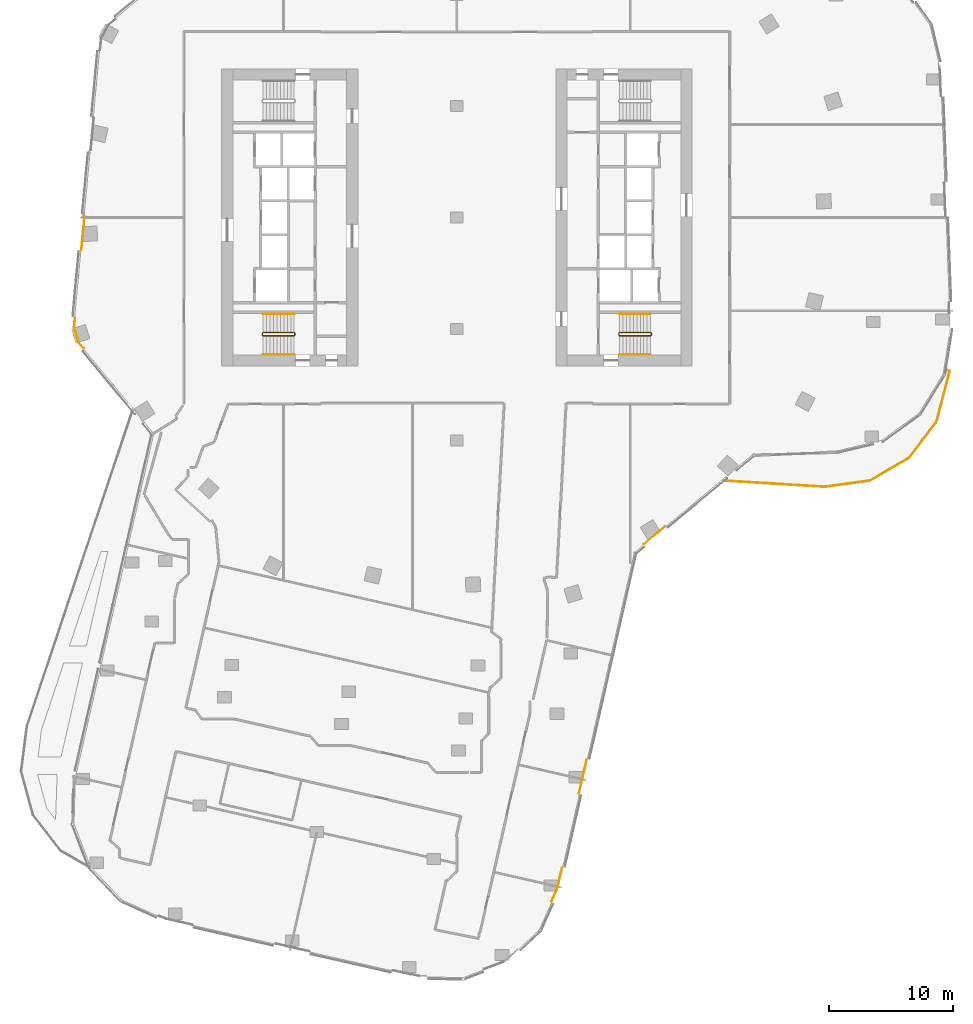
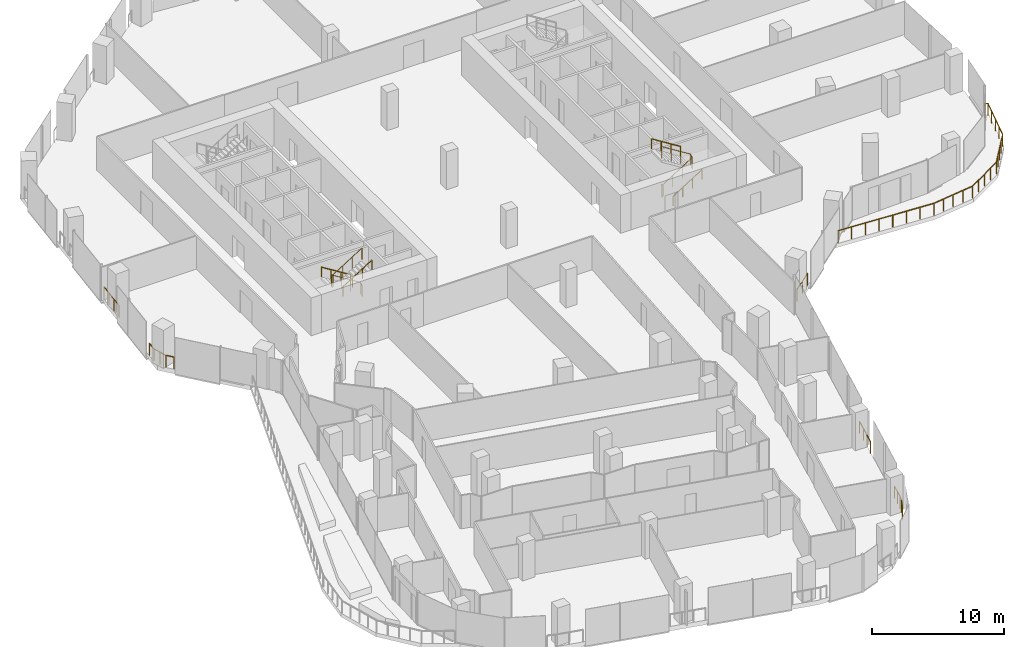
# One storey, part 25 of 28: 12 railings.
"""IFC4 building model written with IfcOpenShell, lengths in metres."""

from ifc_helpers import new_model, si_unit, direction, frame, origin, origin_2d, place, context, subcontext, project, spatial, circle, extrude, material, type_object, element, save


model = new_model("IFC4")

# Units and contexts
model_context = context("Model", 3, precision=1e-05, world=origin(), true_north=direction((0.0, 1.0)))
body_context = subcontext(model_context, "Body", "Model", "MODEL_VIEW")
ifc_project = project(units=[si_unit("LENGTHUNIT", "METRE"), si_unit("AREAUNIT", "SQUARE_METRE"), si_unit("VOLUMEUNIT", "CUBIC_METRE"), si_unit("PLANEANGLEUNIT", "RADIAN"), si_unit("MASSUNIT", "GRAM", prefix="KILO")], contexts=[model_context])

# Site, building, storey
site_placement = place(None, origin())
site = spatial("IfcSite", under=ifc_project, at=site_placement, CompositionType="ELEMENT")
building_placement = place(site_placement, origin())
building = spatial("IfcBuilding", under=site, at=building_placement, Name="Orlundy Tower", CompositionType="ELEMENT")
storey_placement = place(building_placement, frame((0.0, 0.0, 167.10009765625)))
storey = spatial("IfcBuildingStorey", under=building, at=storey_placement, Name="L43", CompositionType="ELEMENT", Elevation=167.10009765625)

# Railings
ifc_material_1 = material(Name="Steel balustrade", Category="steel")
railing_type_1 = type_object("IfcRailingType", Name="Stair Guard 1100", PredefinedType="GUARDRAIL", material=ifc_material_1)
railing_1_placement = place(storey_placement, frame((-13.090087890625, -9.35009765625, 0.0)))
element("IfcRailing", 1, at=railing_1_placement, inside=storey, type_object=railing_type_1, Name="L43 ST-W2 stair guard 1", PredefinedType="GUARDRAIL", context=body_context, shape_type="SweptSolid", body=[
    extrude(circle(Radius=0.02392578125, at=origin_2d()), frame((0.0, 0.0, 1.076171875), z_axis=(0.0, -1.0, 0.0), x_axis=(1.0, 0.0, 0.0)), (0.0, 0.0, 1.0), 0.14990234375),
    extrude(circle(Radius=0.02392578125, at=origin_2d()), frame((0.0, -0.14990234375, 1.076171875), z_axis=(-0.184313129624, 0.739963005698, 0.646902945152), x_axis=(-0.970351222016, -0.241699205484, 0.0)), (0.0, 0.0, 1.0), 0.270263671875),
    extrude(circle(Radius=0.02392578125, at=origin_2d()), frame((-0.0498046875, 0.050048828125, 1.2509765625), z_axis=(-0.847970611238, 0.0, 0.530043245855), x_axis=(0.0, -1.0, 0.0)), (0.0, 0.0, 1.0), 2.971923828125),
    extrude(circle(Radius=0.02392578125, at=origin_2d()), frame((-2.56982421875, 0.050048828125, 2.826171875), z_axis=(-0.707106781187, -0.707106781187, 0.0), x_axis=(0.707106781187, -0.707106781187, 0.0)), (0.0, 0.0, 1.0), 0.07080078125),
    extrude(circle(Radius=0.02392578125, at=origin_2d()), frame((-2.619873046875, 0.0, 2.826171875), z_axis=(0.0, -1.0, 0.0), x_axis=(1.0, 0.0, 0.0)), (0.0, 0.0, 1.0), 0.14990234375),
    extrude(circle(Radius=0.02392578125, at=origin_2d()), frame((-2.619873046875, -0.14990234375, 2.826171875), z_axis=(0.265383341853, -0.265383341853, 0.926899867156), x_axis=(0.707106781187, 0.707106781187, 0.0)), (0.0, 0.0, 1.0), 0.1884765625),
    extrude(circle(Radius=0.02392578125, at=origin_2d()), frame((-2.56982421875, -0.199951171875, 3.0009765625), z_axis=(0.847970611238, 0.0, 0.530043245855), x_axis=(0.0, 1.0, 0.0)), (0.0, 0.0, 1.0), 2.971923828125),
    extrude(circle(Radius=0.02099609375, at=origin_2d()), origin(), (0.0, 0.0, 1.0), 1.052001953125),
    extrude(circle(Radius=0.02099609375, at=origin_2d()), frame((0.0, -0.14990234375, 0.0)), (0.0, 0.0, 1.0), 1.052001953125),
    extrude(circle(Radius=0.02099609375, at=origin_2d()), frame((-0.0498046875, 0.050048828125, 0.1748046875)), (0.0, 0.0, 1.0), 1.052001953125),
    extrude(circle(Radius=0.02099609375, at=origin_2d()), frame((-0.889892578125, 0.050048828125, 0.699951171875)), (0.0, 0.0, 1.0), 1.052001953125),
    extrude(circle(Radius=0.02099609375, at=origin_2d()), frame((-1.729736328125, 0.050048828125, 1.224853515625)), (0.0, 0.0, 1.0), 1.052001953125),
    extrude(circle(Radius=0.02099609375, at=origin_2d()), frame((-2.56982421875, 0.050048828125, 1.75)), (0.0, 0.0, 1.0), 1.052001953125),
    extrude(circle(Radius=0.02099609375, at=origin_2d()), frame((-2.619873046875, 0.0, 1.75)), (0.0, 0.0, 1.0), 1.052001953125),
    extrude(circle(Radius=0.02099609375, at=origin_2d()), frame((-2.619873046875, -0.14990234375, 1.75)), (0.0, 0.0, 1.0), 1.052001953125),
    extrude(circle(Radius=0.02099609375, at=origin_2d()), frame((-2.56982421875, -0.199951171875, 1.9248046875)), (0.0, 0.0, 1.0), 1.052001953125),
    extrude(circle(Radius=0.02099609375, at=origin_2d()), frame((-1.729736328125, -0.199951171875, 2.449951171875)), (0.0, 0.0, 1.0), 1.052001953125),
    extrude(circle(Radius=0.02099609375, at=origin_2d()), frame((-0.889892578125, -0.199951171875, 2.974853515625)), (0.0, 0.0, 1.0), 1.052001953125),
    extrude(circle(Radius=0.02099609375, at=origin_2d()), frame((-0.0498046875, -0.199951171875, 3.5)), (0.0, 0.0, 1.0), 1.052001953125),
])
railing_2_placement = place(storey_placement, frame((13.090087890625, -9.5, 0.0)))
element("IfcRailing", 2, at=railing_2_placement, inside=storey, type_object=railing_type_1, Name="L43 ST-E1 stair guard 1", PredefinedType="GUARDRAIL", context=body_context, shape_type="SweptSolid", body=[
    extrude(circle(Radius=0.02392578125, at=origin_2d()), frame((0.0, 0.0, 1.076171875), z_axis=(0.0, 1.0, 0.0), x_axis=(-1.0, 0.0, 0.0)), (0.0, 0.0, 1.0), 0.14990234375),
    extrude(circle(Radius=0.02392578125, at=origin_2d()), frame((0.0, 0.14990234375, 1.076171875), z_axis=(0.184313129624, -0.739963005698, 0.646902945152), x_axis=(0.970351222016, 0.241699205484, 0.0)), (0.0, 0.0, 1.0), 0.270263671875),
    extrude(circle(Radius=0.02392578125, at=origin_2d()), frame((0.0498046875, -0.050048828125, 1.2509765625), z_axis=(0.847970611238, 0.0, 0.530043245855), x_axis=(0.0, 1.0, 0.0)), (0.0, 0.0, 1.0), 2.971923828125),
    extrude(circle(Radius=0.02392578125, at=origin_2d()), frame((2.56982421875, -0.050048828125, 2.826171875), z_axis=(0.707106781187, 0.707106781187, 0.0), x_axis=(-0.707106781187, 0.707106781187, 0.0)), (0.0, 0.0, 1.0), 0.07080078125),
    extrude(circle(Radius=0.02392578125, at=origin_2d()), frame((2.619873046875, 0.0, 2.826171875), z_axis=(0.0, 1.0, 0.0), x_axis=(-1.0, 0.0, 0.0)), (0.0, 0.0, 1.0), 0.14990234375),
    extrude(circle(Radius=0.02392578125, at=origin_2d()), frame((2.619873046875, 0.14990234375, 2.826171875), z_axis=(-0.265383341853, 0.265383341853, 0.926899867156), x_axis=(-0.707106781187, -0.707106781187, 0.0)), (0.0, 0.0, 1.0), 0.1884765625),
    extrude(circle(Radius=0.02392578125, at=origin_2d()), frame((2.56982421875, 0.199951171875, 3.0009765625), z_axis=(-0.847970611238, 0.0, 0.530043245855), x_axis=(0.0, -1.0, 0.0)), (0.0, 0.0, 1.0), 2.971923828125),
    extrude(circle(Radius=0.02099609375, at=origin_2d()), origin(), (0.0, 0.0, 1.0), 1.052001953125),
    extrude(circle(Radius=0.02099609375, at=origin_2d()), frame((0.0, 0.14990234375, 0.0)), (0.0, 0.0, 1.0), 1.052001953125),
    extrude(circle(Radius=0.02099609375, at=origin_2d()), frame((0.0498046875, -0.050048828125, 0.1748046875)), (0.0, 0.0, 1.0), 1.052001953125),
    extrude(circle(Radius=0.02099609375, at=origin_2d()), frame((0.889892578125, -0.050048828125, 0.699951171875)), (0.0, 0.0, 1.0), 1.052001953125),
    extrude(circle(Radius=0.02099609375, at=origin_2d()), frame((1.729736328125, -0.050048828125, 1.224853515625)), (0.0, 0.0, 1.0), 1.052001953125),
    extrude(circle(Radius=0.02099609375, at=origin_2d()), frame((2.56982421875, -0.050048828125, 1.75)), (0.0, 0.0, 1.0), 1.052001953125),
    extrude(circle(Radius=0.02099609375, at=origin_2d()), frame((2.619873046875, 0.0, 1.75)), (0.0, 0.0, 1.0), 1.052001953125),
    extrude(circle(Radius=0.02099609375, at=origin_2d()), frame((2.619873046875, 0.14990234375, 1.75)), (0.0, 0.0, 1.0), 1.052001953125),
    extrude(circle(Radius=0.02099609375, at=origin_2d()), frame((2.56982421875, 0.199951171875, 1.9248046875)), (0.0, 0.0, 1.0), 1.052001953125),
    extrude(circle(Radius=0.02099609375, at=origin_2d()), frame((1.729736328125, 0.199951171875, 2.449951171875)), (0.0, 0.0, 1.0), 1.052001953125),
    extrude(circle(Radius=0.02099609375, at=origin_2d()), frame((0.889892578125, 0.199951171875, 2.974853515625)), (0.0, 0.0, 1.0), 1.052001953125),
    extrude(circle(Radius=0.02099609375, at=origin_2d()), frame((0.0498046875, 0.199951171875, 3.5)), (0.0, 0.0, 1.0), 1.052001953125),
])
ifc_material_2 = material(Name="Steel handrail", Category="steel")
railing_type_2 = type_object("IfcRailingType", Name="Stair Handrail 900", PredefinedType="HANDRAIL", material=ifc_material_2)
railing_3_placement = place(storey_placement, frame((-13.139892578125, -7.800048828125, 0.1748046875)))
element("IfcRailing", 3, at=railing_3_placement, inside=storey, type_object=railing_type_2, Name="L43 ST-W2 stair handrail 1", PredefinedType="HANDRAIL", context=body_context, shape_type="SweptSolid", body=[
    extrude(circle(Radius=0.02392578125, at=origin_2d()), frame((0.0, 0.0, 0.8759765625), z_axis=(-0.847970611238, 0.0, 0.530043245855), x_axis=(0.0, -1.0, 0.0)), (0.0, 0.0, 1.0), 2.971923828125),
    extrude(circle(Radius=0.02099609375, at=origin_2d()), origin(), (0.0, 0.0, 1.0), 0.851806640625),
    extrude(circle(Radius=0.02099609375, at=origin_2d()), frame((-0.840087890625, 0.0, 0.525146484375)), (0.0, 0.0, 1.0), 0.851806640625),
    extrude(circle(Radius=0.02099609375, at=origin_2d()), frame((-1.679931640625, 0.0, 1.050048828125)), (0.0, 0.0, 1.0), 0.851806640625),
    extrude(circle(Radius=0.02099609375, at=origin_2d()), frame((-2.52001953125, 0.0, 1.5751953125)), (0.0, 0.0, 1.0), 0.851806640625),
])
for number, where, name in (
    (4, (-15.659912109375, -11.050048828125, 1.9248046875), "L43 ST-W2 stair handrail 2"),
    (5, (13.139892578125, -11.050048828125, 0.1748046875), "L43 ST-E1 stair handrail 1"),
):
    element("IfcRailing", number, at=place(storey_placement, frame(where)), inside=storey, type_object=railing_type_2, Name=name, PredefinedType="HANDRAIL", context=body_context, shape_type="SweptSolid", body=[
        extrude(circle(Radius=0.02392578125, at=origin_2d()), frame((0.0, 0.0, 0.8759765625), z_axis=(0.847970611238, 0.0, 0.530043245855), x_axis=(0.0, 1.0, 0.0)), (0.0, 0.0, 1.0), 2.971923828125),
        extrude(circle(Radius=0.02099609375, at=origin_2d()), origin(), (0.0, 0.0, 1.0), 0.851806640625),
        extrude(circle(Radius=0.02099609375, at=origin_2d()), frame((0.840087890625, 0.0, 0.525146484375)), (0.0, 0.0, 1.0), 0.851806640625),
        extrude(circle(Radius=0.02099609375, at=origin_2d()), frame((1.679931640625, 0.0, 1.050048828125)), (0.0, 0.0, 1.0), 0.851806640625),
        extrude(circle(Radius=0.02099609375, at=origin_2d()), frame((2.52001953125, 0.0, 1.5751953125)), (0.0, 0.0, 1.0), 0.851806640625),
    ])
railing_4_placement = place(storey_placement, frame((15.659912109375, -7.800048828125, 1.9248046875)))
element("IfcRailing", 6, at=railing_4_placement, inside=storey, type_object=railing_type_2, Name="L43 ST-E1 stair handrail 2", PredefinedType="HANDRAIL", context=body_context, shape_type="SweptSolid", body=[
    extrude(circle(Radius=0.02392578125, at=origin_2d()), frame((0.0, 0.0, 0.8759765625), z_axis=(-0.847970611238, 0.0, 0.530043245855), x_axis=(0.0, -1.0, 0.0)), (0.0, 0.0, 1.0), 2.971923828125),
    extrude(circle(Radius=0.02099609375, at=origin_2d()), origin(), (0.0, 0.0, 1.0), 0.851806640625),
    extrude(circle(Radius=0.02099609375, at=origin_2d()), frame((-0.840087890625, 0.0, 0.525146484375)), (0.0, 0.0, 1.0), 0.851806640625),
    extrude(circle(Radius=0.02099609375, at=origin_2d()), frame((-1.679931640625, 0.0, 1.050048828125)), (0.0, 0.0, 1.0), 0.851806640625),
    extrude(circle(Radius=0.02099609375, at=origin_2d()), frame((-2.52001953125, 0.0, 1.5751953125)), (0.0, 0.0, 1.0), 0.851806640625),
])
ifc_material_3 = material(Name="Stainless steel bronze finish", Category="steel")
railing_type_3 = type_object("IfcRailingType", Name="TG1 terrace guard", PredefinedType="GUARDRAIL", material=ifc_material_3)
railing_5_placement = place(storey_placement, frame((8.497314453125, -52.56494140625, 0.0)))
element("IfcRailing", 7, at=railing_5_placement, inside=storey, type_object=railing_type_3, Name="Guard TG-L43-E04", PredefinedType="GUARDRAIL", context=body_context, shape_type="SweptSolid", body=[
    extrude(circle(Radius=0.02490234375, at=origin_2d()), frame((0.0, 0.0, 1.09521484375), z_axis=(-0.222282870261, -0.974982218088, 0.0), x_axis=(0.974982218088, -0.222282870261, 0.0)), (0.0, 0.0, 1.0), 1.4189453125),
    extrude(circle(Radius=0.02490234375, at=origin_2d()), frame((-0.3154296875, -1.383544921875, 1.09521484375), z_axis=(-0.335697180926, -0.941969958501, 0.0), x_axis=(0.941969958501, -0.335697180926, 0.0)), (0.0, 0.0, 1.0), 0.532470703125),
    extrude(circle(Radius=0.02490234375, at=origin_2d()), frame((-0.494140625, -1.885009765625, 1.09521484375), z_axis=(-0.408190195649, -0.912896907748, 0.0), x_axis=(0.912896907748, -0.408190195649, 0.0)), (0.0, 0.0, 1.0), 0.8828125),
    extrude(circle(Radius=0.02001953125, at=origin_2d()), origin(), (0.0, 0.0, 1.0), 1.070068359375),
    extrude(circle(Radius=0.02001953125, at=origin_2d()), frame((-0.15771484375, -0.69189453125, 0.0)), (0.0, 0.0, 1.0), 1.070068359375),
    extrude(circle(Radius=0.02001953125, at=origin_2d()), frame((-0.3154296875, -1.383544921875, 0.0)), (0.0, 0.0, 1.0), 1.070068359375),
    extrude(circle(Radius=0.02001953125, at=origin_2d()), frame((-0.494140625, -1.885009765625, 0.0)), (0.0, 0.0, 1.0), 1.070068359375),
    extrude(circle(Radius=0.02001953125, at=origin_2d()), frame((-0.8544921875, -2.69091796875, 0.0)), (0.0, 0.0, 1.0), 1.070068359375),
])
railing_6_placement = place(storey_placement, frame((10.48486328125, -43.83935546875, 0.0)))
element("IfcRailing", 8, at=railing_6_placement, inside=storey, type_object=railing_type_3, Name="Guard TG-L43-E07", PredefinedType="GUARDRAIL", context=body_context, shape_type="SweptSolid", body=[
    extrude(circle(Radius=0.02490234375, at=origin_2d()), frame((0.0, 0.0, 1.09521484375), z_axis=(-0.222100099372, -0.975023869379, 0.0), x_axis=(0.975023869379, -0.222100099372, 0.0)), (0.0, 0.0, 1.0), 2.753662109375),
    extrude(circle(Radius=0.02001953125, at=origin_2d()), origin(), (0.0, 0.0, 1.0), 1.070068359375),
    extrude(circle(Radius=0.02001953125, at=origin_2d()), frame((-0.203857421875, -0.89501953125, 0.0)), (0.0, 0.0, 1.0), 1.070068359375),
    extrude(circle(Radius=0.02001953125, at=origin_2d()), frame((-0.40771484375, -1.789794921875, 0.0)), (0.0, 0.0, 1.0), 1.070068359375),
    extrude(circle(Radius=0.02001953125, at=origin_2d()), frame((-0.611572265625, -2.684814453125, 0.0)), (0.0, 0.0, 1.0), 1.070068359375),
])
railing_7_placement = place(storey_placement, frame((-30.3330078125, -2.601806640625, 0.0)))
element("IfcRailing", 9, at=railing_7_placement, inside=storey, type_object=railing_type_3, Name="Guard TG-L43-E09", PredefinedType="GUARDRAIL", context=body_context, shape_type="SweptSolid", body=[
    extrude(circle(Radius=0.02490234375, at=origin_2d()), frame((0.0, 0.0, 1.09521484375), z_axis=(0.092918792037, 0.995673690567, 0.0), x_axis=(-0.995673690567, 0.092918792037, 0.0)), (0.0, 0.0, 1.0), 2.724609375),
    extrude(circle(Radius=0.02001953125, at=origin_2d()), origin(), (0.0, 0.0, 1.0), 1.070068359375),
    extrude(circle(Radius=0.02001953125, at=origin_2d()), frame((0.08447265625, 0.904296875, 0.0)), (0.0, 0.0, 1.0), 1.070068359375),
    extrude(circle(Radius=0.02001953125, at=origin_2d()), frame((0.168701171875, 1.80859375, 0.0)), (0.0, 0.0, 1.0), 1.070068359375),
    extrude(circle(Radius=0.02001953125, at=origin_2d()), frame((0.253173828125, 2.712890625, 0.0)), (0.0, 0.0, 1.0), 1.070068359375),
])
railing_8_placement = place(storey_placement, frame((-30.145263671875, -10.58251953125, 0.0)))
element("IfcRailing", 10, at=railing_8_placement, inside=storey, type_object=railing_type_3, Name="Guard TG-L43-E011", PredefinedType="GUARDRAIL", context=body_context, shape_type="SweptSolid", body=[
    extrude(circle(Radius=0.02490234375, at=origin_2d()), frame((0.0, 0.0, 1.09521484375), z_axis=(-0.637978609819, 0.770054084733, 0.0), x_axis=(-0.770054084733, -0.637978609819, 0.0)), (0.0, 0.0, 1.0), 0.632080078125),
    extrude(circle(Radius=0.02490234375, at=origin_2d()), frame((-0.4033203125, 0.48681640625, 1.09521484375), z_axis=(-0.294929977325, 0.955518868718, 0.0), x_axis=(-0.955518868718, -0.294929977325, 0.0)), (0.0, 0.0, 1.0), 1.260009765625),
    extrude(circle(Radius=0.02490234375, at=origin_2d()), frame((-0.77490234375, 1.690673828125, 1.09521484375), z_axis=(0.092791308767, 0.995685579396, 0.0), x_axis=(-0.995685579396, 0.092791308767, 0.0)), (0.0, 0.0, 1.0), 0.77099609375),
    extrude(circle(Radius=0.02001953125, at=origin_2d()), origin(), (0.0, 0.0, 1.0), 1.070068359375),
    extrude(circle(Radius=0.02001953125, at=origin_2d()), frame((-0.4033203125, 0.48681640625, 0.0)), (0.0, 0.0, 1.0), 1.070068359375),
    extrude(circle(Radius=0.02001953125, at=origin_2d()), frame((-0.589111328125, 1.0888671875, 0.0)), (0.0, 0.0, 1.0), 1.070068359375),
    extrude(circle(Radius=0.02001953125, at=origin_2d()), frame((-0.77490234375, 1.690673828125, 0.0)), (0.0, 0.0, 1.0), 1.070068359375),
    extrude(circle(Radius=0.02001953125, at=origin_2d()), frame((-0.703369140625, 2.458251953125, 0.0)), (0.0, 0.0, 1.0), 1.070068359375),
])
railing_9_placement = place(storey_placement, frame((16.819580078125, -24.97314453125, 0.0)))
element("IfcRailing", 11, at=railing_9_placement, inside=storey, type_object=railing_type_3, Name="Guard TG-L43-E018", PredefinedType="GUARDRAIL", context=body_context, shape_type="SweptSolid", body=[
    extrude(circle(Radius=0.02490234375, at=origin_2d()), frame((0.0, 0.0, 1.09521484375), z_axis=(-0.769757960393, -0.638335869595, 0.0), x_axis=(0.638335869595, -0.769757960393, 0.0)), (0.0, 0.0, 1.0), 2.2236328125),
    extrude(circle(Radius=0.02001953125, at=origin_2d()), origin(), (0.0, 0.0, 1.0), 1.070068359375),
    extrude(circle(Radius=0.02001953125, at=origin_2d()), frame((-0.85595703125, -0.709716796875, 0.0)), (0.0, 0.0, 1.0), 1.070068359375),
    extrude(circle(Radius=0.02001953125, at=origin_2d()), frame((-1.711669921875, -1.41943359375, 0.0)), (0.0, 0.0, 1.0), 1.070068359375),
])
railing_10_placement = place(storey_placement, frame((39.4619140625, -12.55908203125, 0.0)))
element("IfcRailing", 12, at=railing_10_placement, inside=storey, type_object=railing_type_3, Name="Guard TG-L43-00", PredefinedType="GUARDRAIL", context=body_context, shape_type="SweptSolid", body=[
    extrude(circle(Radius=0.02490234375, at=origin_2d()), frame((0.0, 0.0, 1.09521484375), z_axis=(0.523998317175, 0.851719298594, 0.0), x_axis=(-0.851719298594, 0.523998317175, 0.0)), (0.0, 0.0, 1.0), 0.27490234375),
    extrude(circle(Radius=0.02490234375, at=origin_2d()), frame((0.14404296875, 0.234130859375, 1.09521484375), z_axis=(0.919360797269, -0.393415460352, 0.0), x_axis=(0.393415460352, 0.919360797269, 0.0)), (0.0, 0.0, 1.0), 0.23388671875),
    extrude(circle(Radius=0.02490234375, at=origin_2d()), frame((0.359130859375, 0.14208984375, 1.09521484375), z_axis=(-0.254635889129, -0.967037002378, 0.0), x_axis=(0.967037002378, -0.254635889129, 0.0)), (0.0, 0.0, 1.0), 4.2138671875),
    extrude(circle(Radius=0.02490234375, at=origin_2d()), frame((-0.7138671875, -3.932861328125, 1.09521484375), z_axis=(-0.605194638458, -0.796077539931, 0.0), x_axis=(0.796077539931, -0.605194638458, 0.0)), (0.0, 0.0, 1.0), 3.668212890625),
    extrude(circle(Radius=0.02490234375, at=origin_2d()), frame((-2.933837890625, -6.85302734375, 1.09521484375), z_axis=(-0.863836861641, -0.503771651119, 0.0), x_axis=(0.503771651119, -0.863836861641, 0.0)), (0.0, 0.0, 1.0), 3.666259765625),
    extrude(circle(Radius=0.02490234375, at=origin_2d()), frame((-6.100830078125, -8.699951171875, 1.09521484375), z_axis=(-0.99086890817, -0.134828805607, 0.0), x_axis=(0.134828805607, -0.99086890817, 0.0)), (0.0, 0.0, 1.0), 3.677734375),
    extrude(circle(Radius=0.02490234375, at=origin_2d()), frame((-9.744873046875, -9.19580078125, 1.09521484375), z_axis=(-0.998137950286, 0.060996985155, 0.0), x_axis=(-0.060996985155, -0.998137950286, 0.0)), (0.0, 0.0, 1.0), 8.12109375),
    extrude(circle(Radius=0.02001953125, at=origin_2d()), origin(), (0.0, 0.0, 1.0), 1.070068359375),
    extrude(circle(Radius=0.02001953125, at=origin_2d()), frame((0.14404296875, 0.234130859375, 0.0)), (0.0, 0.0, 1.0), 1.070068359375),
    extrude(circle(Radius=0.02001953125, at=origin_2d()), frame((0.359130859375, 0.14208984375, 0.0)), (0.0, 0.0, 1.0), 1.070068359375),
    extrude(circle(Radius=0.02001953125, at=origin_2d()), frame((0.0908203125, -0.876708984375, 0.0)), (0.0, 0.0, 1.0), 1.070068359375),
    extrude(circle(Radius=0.02001953125, at=origin_2d()), frame((-0.17724609375, -1.8955078125, 0.0)), (0.0, 0.0, 1.0), 1.070068359375),
    extrude(circle(Radius=0.02001953125, at=origin_2d()), frame((-0.445556640625, -2.9140625, 0.0)), (0.0, 0.0, 1.0), 1.070068359375),
    extrude(circle(Radius=0.02001953125, at=origin_2d()), frame((-0.7138671875, -3.932861328125, 0.0)), (0.0, 0.0, 1.0), 1.070068359375),
    extrude(circle(Radius=0.02001953125, at=origin_2d()), frame((-1.268798828125, -4.662841796875, 0.0)), (0.0, 0.0, 1.0), 1.070068359375),
    extrude(circle(Radius=0.02001953125, at=origin_2d()), frame((-1.82373046875, -5.39306640625, 0.0)), (0.0, 0.0, 1.0), 1.070068359375),
    extrude(circle(Radius=0.02001953125, at=origin_2d()), frame((-2.37890625, -6.123046875, 0.0)), (0.0, 0.0, 1.0), 1.070068359375),
    extrude(circle(Radius=0.02001953125, at=origin_2d()), frame((-2.933837890625, -6.85302734375, 0.0)), (0.0, 0.0, 1.0), 1.070068359375),
    extrude(circle(Radius=0.02001953125, at=origin_2d()), frame((-3.7255859375, -7.314697265625, 0.0)), (0.0, 0.0, 1.0), 1.070068359375),
    extrude(circle(Radius=0.02001953125, at=origin_2d()), frame((-4.517333984375, -7.7763671875, 0.0)), (0.0, 0.0, 1.0), 1.070068359375),
    extrude(circle(Radius=0.02001953125, at=origin_2d()), frame((-5.30908203125, -8.23828125, 0.0)), (0.0, 0.0, 1.0), 1.070068359375),
    extrude(circle(Radius=0.02001953125, at=origin_2d()), frame((-6.100830078125, -8.699951171875, 0.0)), (0.0, 0.0, 1.0), 1.070068359375),
    extrude(circle(Radius=0.02001953125, at=origin_2d()), frame((-7.01171875, -8.823974609375, 0.0)), (0.0, 0.0, 1.0), 1.070068359375),
    extrude(circle(Radius=0.02001953125, at=origin_2d()), frame((-7.9228515625, -8.94775390625, 0.0)), (0.0, 0.0, 1.0), 1.070068359375),
    extrude(circle(Radius=0.02001953125, at=origin_2d()), frame((-8.833984375, -9.07177734375, 0.0)), (0.0, 0.0, 1.0), 1.070068359375),
    extrude(circle(Radius=0.02001953125, at=origin_2d()), frame((-9.744873046875, -9.19580078125, 0.0)), (0.0, 0.0, 1.0), 1.070068359375),
    extrude(circle(Radius=0.02001953125, at=origin_2d()), frame((-10.90283203125, -9.125, 0.0)), (0.0, 0.0, 1.0), 1.070068359375),
    extrude(circle(Radius=0.02001953125, at=origin_2d()), frame((-12.060791015625, -9.05419921875, 0.0)), (0.0, 0.0, 1.0), 1.070068359375),
    extrude(circle(Radius=0.02001953125, at=origin_2d()), frame((-13.21875, -8.9833984375, 0.0)), (0.0, 0.0, 1.0), 1.070068359375),
    extrude(circle(Radius=0.02001953125, at=origin_2d()), frame((-14.376953125, -8.912841796875, 0.0)), (0.0, 0.0, 1.0), 1.070068359375),
    extrude(circle(Radius=0.02001953125, at=origin_2d()), frame((-15.534912109375, -8.842041015625, 0.0)), (0.0, 0.0, 1.0), 1.070068359375),
    extrude(circle(Radius=0.02001953125, at=origin_2d()), frame((-16.69287109375, -8.771240234375, 0.0)), (0.0, 0.0, 1.0), 1.070068359375),
    extrude(circle(Radius=0.02001953125, at=origin_2d()), frame((-17.850830078125, -8.700439453125, 0.0)), (0.0, 0.0, 1.0), 1.070068359375),
])

save(model, "model.ifc")
